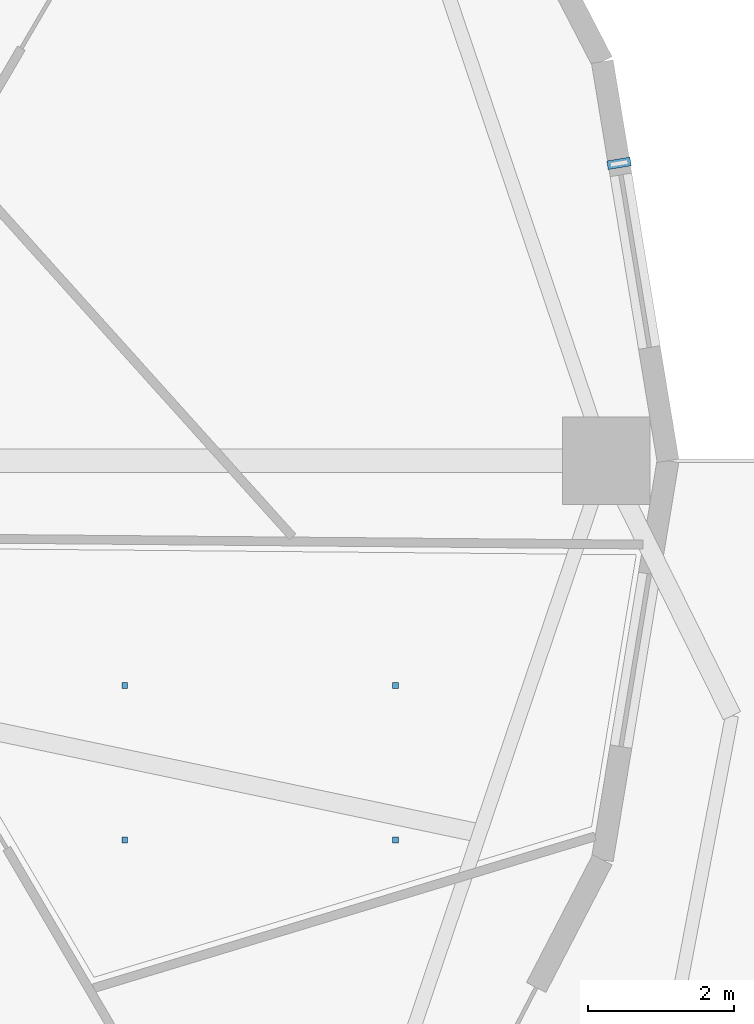
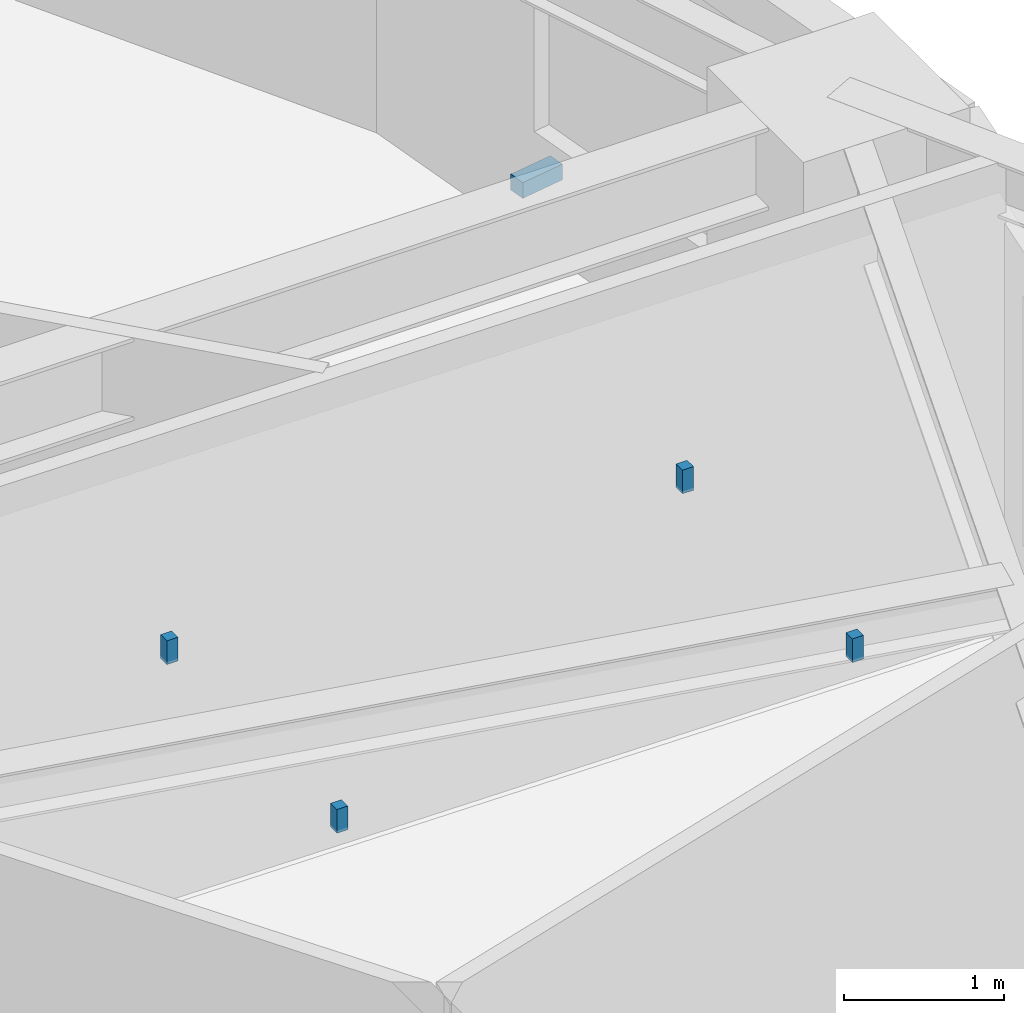
# One storey, part 13 of 18: 5 discrete accessories.
"""IFC4 building model written with IfcOpenShell, lengths in metres."""

from ifc_helpers import new_model, si_unit, direction, frame, origin, origin_2d, place, context, subcontext, project, spatial, rectangle, extrude, material, type_object, element, save


model = new_model("IFC4")

# Units and contexts
model_context = context("Model", 3, precision=1e-05, world=origin(), true_north=direction((0.0, 1.0)))
body_context = subcontext(model_context, "Body", "Model", "MODEL_VIEW")
ifc_project = project(units=[si_unit("LENGTHUNIT", "METRE"), si_unit("AREAUNIT", "SQUARE_METRE"), si_unit("VOLUMEUNIT", "CUBIC_METRE"), si_unit("PLANEANGLEUNIT", "RADIAN"), si_unit("MASSUNIT", "GRAM", prefix="KILO")], contexts=[model_context])

# Site, building, storey
site_placement = place(None, origin())
site = spatial("IfcSite", under=ifc_project, at=site_placement, CompositionType="ELEMENT")
building_placement = place(site_placement, origin())
building = spatial("IfcBuilding", under=site, at=building_placement, Name="Kolvaren Gate Tower and Convention Centre", CompositionType="ELEMENT")
storey_placement = place(building_placement, frame((0.0, 0.0, 53.449951171875)))
storey = spatial("IfcBuildingStorey", under=building, at=storey_placement, Name="L12", CompositionType="ELEMENT", Elevation=53.449951171875)

# Discrete accessories
ifc_material_1 = material(Name="Anodized Architectural Aluminium Alloy 6063-T6", Category="aluminium")
discrete_accessory_type_1 = type_object("IfcDiscreteAccessoryType", Name="ARCH-ACC-BRACKET-120", PredefinedType="BRACKET", material=ifc_material_1)
discrete_accessory_placement = place(storey_placement, frame((55.891357421875, 31.078857421875, 0.2900390625), z_axis=(0.0, 0.0, 1.0), x_axis=(0.162375401515, -0.986729055508, 0.0)))
element("IfcDiscreteAccessory", 1, at=discrete_accessory_placement, inside=storey, type_object=discrete_accessory_type_1, Name="Ceramic Fin Wall Anchor Bracket FBK-L12-00", PredefinedType="BRACKET", context=body_context, shape_type="SweptSolid", body=[
    extrude(rectangle(XDim=0.1201171875, YDim=0.320068359375, at=origin_2d()), origin(), (0.0, 0.0, 1.0), 0.1201171875),
])
ifc_material_2 = material(Name="Brushed Stainless Steel Grade 316L", Category="steel")
discrete_accessory_type_2 = type_object("IfcDiscreteAccessoryType", Name="ARCH-ACC-HANGER-80", PredefinedType="BRACKET", material=ifc_material_2)
for number, where, z_axis, x_axis, name in (
    (2, (49.112060546875, 21.799072265625, 3.39013671875), (0.0, 0.0, 1.0), (1.0, 0.0, 0.0), "Materials Exhibition Boutique Ceiling Suspension Hanger Clip 1"),
    (3, (52.825927734375, 21.799072265625, 3.39013671875), (0.0, 0.0, 1.0), (1.0, 0.0, 0.0), "Materials Exhibition Boutique Ceiling Suspension Hanger Clip 2"),
    (4, (49.112060546875, 23.9189453125, 3.39013671875), (0.0, 0.0, 1.0), (1.0, 0.0, 0.0), "Materials Exhibition Boutique Ceiling Suspension Hanger Clip 3"),
    (5, (52.825927734375, 23.9189453125, 3.39013671875), (0.0, 0.0, 1.0), (1.0, 0.0, 0.0), "Materials Exhibition Boutique Ceiling Suspension Hanger Clip 4"),
):
    element("IfcDiscreteAccessory", number, at=place(storey_placement, frame(where, z_axis=z_axis, x_axis=x_axis)), inside=storey, type_object=discrete_accessory_type_2, Name=name, PredefinedType="BRACKET", context=body_context, shape_type="SweptSolid", body=[
        extrude(rectangle(XDim=0.080078125, YDim=0.080078125, at=origin_2d()), origin(), (0.0, 0.0, 1.0), 0.179931640625),
    ])

save(model, "model.ifc")
